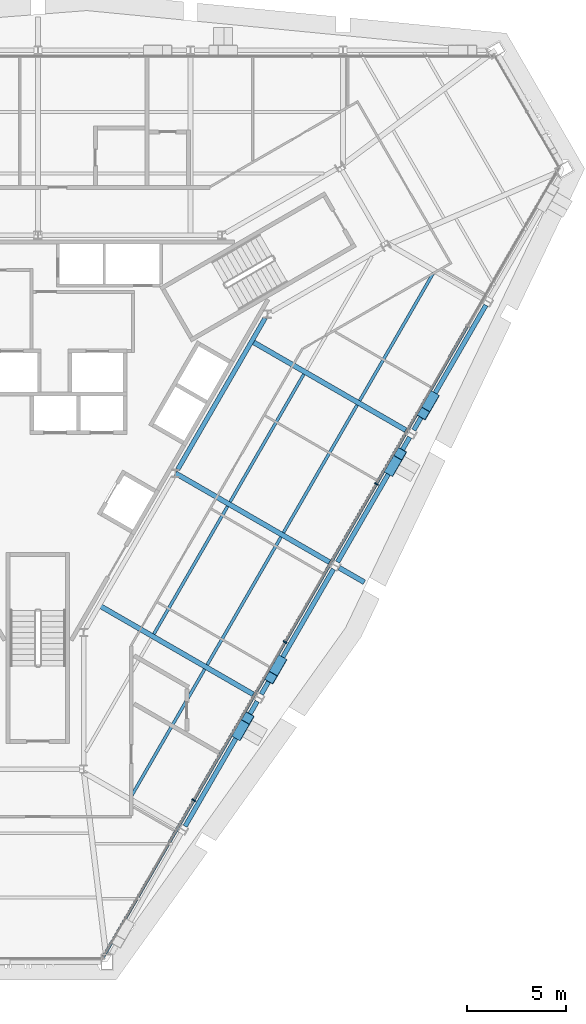
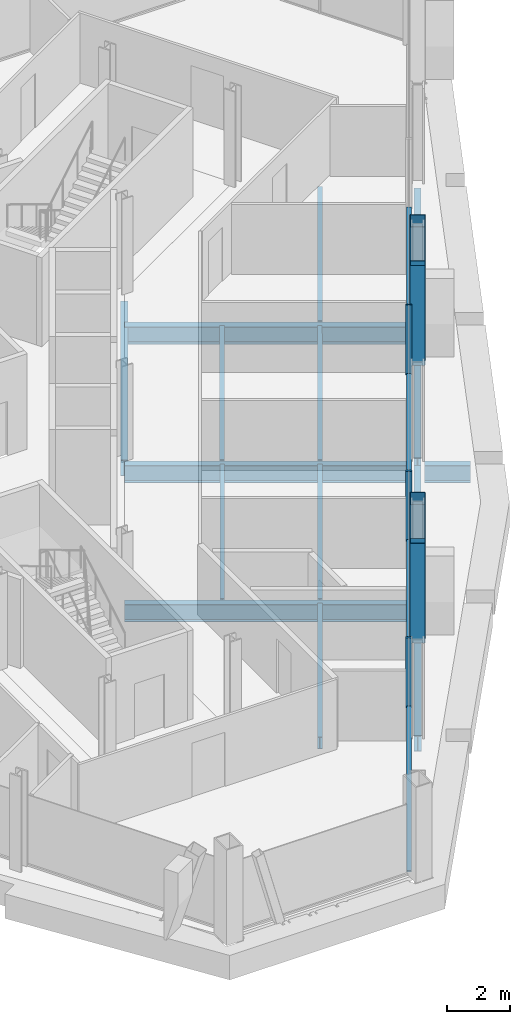
# One storey, part 4 of 13: 15 beams, 11 members, 1 element without a shape of its own.
"""IFC4 building model written with IfcOpenShell, lengths in metres."""

import ifcopenshell
import ifcopenshell.guid

model = None  # the IFC model being written
_history = None  # IfcOwnerHistory: only IFC2X3 demands one
_inside = {}  # id of a spatial element -> (the spatial element, [elements in it])
_under = {}  # id of a project, library or spatial element -> (it, [spatial elements below it])
_declared = {}  # id of a project -> (the project, [libraries it declares])
_typed = {}  # id of a type object -> (the type object, [elements of that type])
_made_of = {}  # id of a material, layer set ... -> (it, [elements and type objects made of it])


def new_model(schema):
    """Start an empty IFC model of exactly this schema.

    Asked for "IFC4X3", IfcOpenShell would pick the latest addendum, in which some entities
    have other attributes; the version numbers below select the first issue.
    IFC2X3 requires an IfcOwnerHistory on every rooted entity: one is made here for all.
    """
    global model, _history
    if schema == "IFC4X3":
        model = ifcopenshell.file(schema_version=(4, 3, 0, 0))
    else:
        model = ifcopenshell.file(schema=schema)
    _inside.clear()
    _under.clear()
    _declared.clear()
    _typed.clear()
    _made_of.clear()
    _history = None
    if model.schema == "IFC2X3":
        org = make("IfcOrganization", Name="unknown")
        user = make(
            "IfcPersonAndOrganization",
            ThePerson=make("IfcPerson", FamilyName="unknown"),
            TheOrganization=org,
        )
        app = make(
            "IfcApplication",
            ApplicationDeveloper=org,
            Version="unknown",
            ApplicationFullName="unknown",
            ApplicationIdentifier="unknown",
        )
        _history = make(
            "IfcOwnerHistory",
            OwningUser=user,
            OwningApplication=app,
            ChangeAction="ADDED",
            CreationDate=0,
        )
    return model


def make(cls, **values):
    """One entity of the class cls with the attributes given. An attribute that is None is left unset."""
    return model.create_entity(
        cls, **{name: value for name, value in values.items() if value is not None}
    )


def rooted(cls, **values):
    """An entity with a GlobalId (a new one), such as an element, a storey or a relation."""
    return make(cls, GlobalId=ifcopenshell.guid.new(), OwnerHistory=_history, **values)


def si_unit(unit_type, name, prefix=None):
    """IfcSIUnit, for example si_unit("LENGTHUNIT", "METRE", prefix="MILLI")."""
    return make("IfcSIUnit", UnitType=unit_type, Prefix=prefix, Name=name)


def assignment(units):
    """IfcUnitAssignment: the units of a project."""
    return None if units is None else make("IfcUnitAssignment", Units=units)


def point(xyz):
    """IfcCartesianPoint."""
    return None if xyz is None else make("IfcCartesianPoint", Coordinates=xyz)


def direction(xyz):
    """IfcDirection."""
    return None if xyz is None else make("IfcDirection", DirectionRatios=xyz)


def frame(location, z_axis=None, x_axis=None):
    """IfcAxis2Placement3D, a coordinate frame: its origin and axes. An axis left out is left unset."""
    return make(
        "IfcAxis2Placement3D",
        Location=point(location),
        Axis=direction(z_axis),
        RefDirection=direction(x_axis),
    )


def frame_2d(location, x_axis=None):
    """IfcAxis2Placement2D, a coordinate frame in the plane: its origin and x axis."""
    return make(
        "IfcAxis2Placement2D", Location=point(location), RefDirection=direction(x_axis)
    )


def origin():
    """The frame at (0, 0, 0) with its axes left unset."""
    return frame((0.0, 0.0, 0.0))


def origin_2d():
    """The frame at (0, 0) in the plane with its x axis left unset."""
    return frame_2d((0.0, 0.0))


def place(relative_to, where):
    """IfcLocalPlacement: puts the frame where relative to a parent placement (None: the world)."""
    return make(
        "IfcLocalPlacement", PlacementRelTo=relative_to, RelativePlacement=where
    )


def context(
    kind, dimensions, precision=None, world=None, true_north=None, identifier=None
):
    """IfcGeometricRepresentationContext, for example the 3D "Model" context."""
    return make(
        "IfcGeometricRepresentationContext",
        ContextIdentifier=identifier,
        ContextType=kind,
        CoordinateSpaceDimension=dimensions,
        Precision=precision,
        WorldCoordinateSystem=world,
        TrueNorth=true_north,
    )


def subcontext(parent, identifier, kind, view, scale=None):
    """IfcGeometricRepresentationSubContext, for example "Body" below "Model"."""
    return make(
        "IfcGeometricRepresentationSubContext",
        ContextIdentifier=identifier,
        ContextType=kind,
        ParentContext=parent,
        TargetScale=scale,
        TargetView=view,
    )


def project(units=None, contexts=None):
    """IfcProject with its units and contexts."""
    return rooted(
        "IfcProject",
        Name="project",
        RepresentationContexts=contexts,
        UnitsInContext=assignment(units),
    )


def spatial(cls, under=None, at=None, **own):
    """A site, building, storey or space (cls), placed at a placement, below another one or the project."""
    s = rooted(cls, ObjectPlacement=at, **own)
    if under is not None:
        _under.setdefault(under.id(), (under, []))[1].append(s)
    return s


def profile(cls, at=None, kind="AREA", **sizes):
    """A parametric profile (cls). Its sizes go by their IFC names, for example OverallWidth=200.0."""
    return make(cls, ProfileType=kind, Position=at, **sizes)


def rectangle(**sizes):
    """IfcRectangleProfileDef."""
    return profile("IfcRectangleProfileDef", **sizes)


def hollow_rectangle(**sizes):
    """IfcRectangleHollowProfileDef."""
    return profile("IfcRectangleHollowProfileDef", **sizes)


def i_section(**sizes):
    """IfcIShapeProfileDef."""
    return profile("IfcIShapeProfileDef", **sizes)


def extrude(swept, where, along, depth):
    """IfcExtrudedAreaSolid: the profile swept, set in the frame where, extruded along a direction by depth."""
    return make(
        "IfcExtrudedAreaSolid",
        SweptArea=swept,
        Position=where,
        ExtrudedDirection=direction(along),
        Depth=depth,
    )


def shape(context_of_items, identifier, shape_type, items):
    """IfcShapeRepresentation: the items that make up one representation, for example the "Body"."""
    return make(
        "IfcShapeRepresentation",
        ContextOfItems=context_of_items,
        RepresentationIdentifier=identifier,
        RepresentationType=shape_type,
        Items=items,
    )


def material(Name=None, Category=None):
    """IfcMaterial."""
    return make("IfcMaterial", Name=Name, Category=Category)


def material_profile(
    of_material, cross_section, Name=None, Category=None, Priority=None
):
    """IfcMaterialProfile: a cross section and its material."""
    return make(
        "IfcMaterialProfile",
        Name=Name,
        Material=of_material,
        Profile=cross_section,
        Priority=Priority,
        Category=Category,
    )


def profile_set(profiles, Name=None, composite=None):
    """IfcMaterialProfileSet."""
    return make(
        "IfcMaterialProfileSet",
        Name=Name,
        MaterialProfiles=profiles,
        CompositeProfile=composite,
    )


def made_of(thing, what):
    """Note that an element or type object is made of a material, layer set ...; save() writes the relation."""
    if what is not None:
        _made_of.setdefault(what.id(), (what, []))[1].append(thing)
    return thing


def type_object(cls, material=None, **own):
    """A type object (cls), such as IfcWallType, which elements share."""
    return made_of(rooted(cls, **own), material)


def element(
    cls,
    number,
    at=None,
    inside=None,
    cuts=None,
    type_object=None,
    material=None,
    context=None,
    identifier="Body",
    shape_type=None,
    held_by="IfcProductDefinitionShape",
    body=None,
    shapes=None,
    **own,
):
    """One element of the class cls, such as IfcWall. Its Tag is "e" and its number.

    at: its placement. inside: the storey or other place that contains it. cuts: it is an
    opening in that element (IfcRelVoidsElement). A single representation is given by context,
    identifier, shape_type and body (its items); several are given by shapes. held_by: the class
    of the entity that holds the representations. save() writes the other relations.
    """
    e = rooted(cls, Tag="e%d" % number, ObjectPlacement=at, **own)
    if body is not None:
        shapes = [shape(context, identifier, shape_type, body)]
    if shapes is not None:
        e.Representation = make(held_by, Representations=shapes)
    if inside is not None:
        _inside.setdefault(inside.id(), (inside, []))[1].append(e)
    if cuts is not None:
        rooted(
            "IfcRelVoidsElement", RelatingBuildingElement=cuts, RelatedOpeningElement=e
        )
    if type_object is not None:
        _typed.setdefault(type_object.id(), (type_object, []))[1].append(e)
    return made_of(e, material)


def aggregate(whole, parts):
    """IfcRelAggregates: a whole, such as a stair, and the parts it consists of."""
    return rooted("IfcRelAggregates", RelatingObject=whole, RelatedObjects=parts)


def save(model, path):
    """Write the relations noted so far, then the file.

    IfcRelAggregates (storeys below a building ...), IfcRelContainedInSpatialStructure (elements
    in a storey), IfcRelDefinesByType, IfcRelAssociatesMaterial and IfcRelDeclares: one each for
    every whole, place, type object, material and project.
    """
    for whole, parts in _under.values():
        aggregate(whole, parts)
    for where, things in _inside.values():
        rooted(
            "IfcRelContainedInSpatialStructure",
            RelatedElements=things,
            RelatingStructure=where,
        )
    for kind, things in _typed.values():
        rooted("IfcRelDefinesByType", RelatedObjects=things, RelatingType=kind)
    for what, things in _made_of.values():
        rooted("IfcRelAssociatesMaterial", RelatedObjects=things, RelatingMaterial=what)
    for by, libraries in _declared.values():
        rooted("IfcRelDeclares", RelatingContext=by, RelatedDefinitions=libraries)
    model.write(path)


model = new_model("IFC4")

# Units and contexts
model_context = context("Model", 3, precision=1e-05, world=origin(), true_north=direction((0.0, 1.0)))
body_context = subcontext(model_context, "Body", "Model", "MODEL_VIEW")
ifc_project = project(units=[si_unit("LENGTHUNIT", "METRE"), si_unit("AREAUNIT", "SQUARE_METRE"), si_unit("VOLUMEUNIT", "CUBIC_METRE"), si_unit("PLANEANGLEUNIT", "RADIAN"), si_unit("MASSUNIT", "GRAM", prefix="KILO")], contexts=[model_context])

# Site, building, storey
site_placement = place(None, origin())
site = spatial("IfcSite", under=ifc_project, at=site_placement, CompositionType="ELEMENT")
building_placement = place(site_placement, origin())
building = spatial("IfcBuilding", under=site, at=building_placement, Name="Verrane Prism Tower", CompositionType="ELEMENT")
storey_placement = place(building_placement, frame((0.0, 0.0, 167.300048828125)))
storey = spatial("IfcBuildingStorey", under=building, at=storey_placement, Name="L41", CompositionType="ELEMENT", Elevation=167.300048828125)

# Beam
ifc_material_1 = material(Name="Steel A992", Category="steel")
ifc_material_profile_1 = material_profile(ifc_material_1, i_section(OverallWidth=0.23046875, OverallDepth=0.6171875, WebThickness=0.01318359375, FlangeThickness=0.022216796875, FilletRadius=0.012939453125, at=origin_2d()), Name="W24x94")
ifc_profile_set_1 = profile_set([ifc_material_profile_1], Name="Steel A992")
beam_type_1 = type_object("IfcBeamType", Name="Core ring girder W24x94", PredefinedType="BEAM", material=ifc_profile_set_1)
beam_1_placement = place(storey_placement, frame((7.045166015625, -3.800537109375, -0.55859375), z_axis=(0.499967414725, 0.866044216084, 0.0), x_axis=(-0.866044216084, 0.499967414725, 0.0)))
element("IfcBeam", 1, at=beam_1_placement, inside=storey, type_object=beam_type_1, Name="Core ring girder L41", PredefinedType="BEAM", context=body_context, shape_type="SweptSolid", body=[
    extrude(i_section(OverallWidth=0.23046875, OverallDepth=0.6171875, WebThickness=0.01318359375, FlangeThickness=0.022216796875, FilletRadius=0.012939453125, at=origin_2d()), origin(), (0.0, 0.0, 1.0), 8.7998046875),
])

# Members
ifc_material_2 = material(Name="Steel A500 Grade C", Category="steel")
ifc_material_profile_2 = material_profile(ifc_material_2, hollow_rectangle(XDim=0.508056640625, YDim=0.508056640625, WallThickness=0.01904296875, InnerFilletRadius=0.009521484375, OuterFilletRadius=0.028564453125, at=origin_2d()), Name="HSS20x20x3/4")
ifc_profile_set_2 = profile_set([ifc_material_profile_2], Name="Steel A500 Grade C")
member_type_1 = type_object("IfcMemberType", Name="Facade brace HSS20x20x3/4", PredefinedType="BRACE", material=ifc_profile_set_2)
member_1_placement = place(storey_placement, frame((10.090087890625, -17.145263671875, -0.216796875), z_axis=(0.142215487938, 0.246130924285, 0.958746224556), x_axis=(-0.865855153672, 0.500294765972, 0.0)))
element("IfcMember", 2, at=member_1_placement, inside=storey, type_object=member_type_1, Name="Facade brace SE1 L41", PredefinedType="BRACE", context=body_context, shape_type="SweptSolid", body=[
    extrude(hollow_rectangle(XDim=0.508056640625, YDim=0.508056640625, WallThickness=0.01904296875, InnerFilletRadius=0.009521484375, OuterFilletRadius=0.028564453125, at=origin_2d()), origin(), (0.0, 0.0, 1.0), 3.333740234375),
])
member_2_placement = place(storey_placement, frame((12.209716796875, -13.471923828125, -0.216796875), z_axis=(-0.142130918057, -0.246477418948, 0.95866974714), x_axis=(0.866288399192, -0.499544201673, 0.0)))
element("IfcMember", 3, at=member_2_placement, inside=storey, type_object=member_type_1, Name="Facade brace SE2 L41", PredefinedType="BRACE", context=body_context, shape_type="SweptSolid", body=[
    extrude(hollow_rectangle(XDim=0.508056640625, YDim=0.508056640625, WallThickness=0.01904296875, InnerFilletRadius=0.009521484375, OuterFilletRadius=0.028564453125, at=origin_2d()), origin(), (0.0, 0.0, 1.0), 3.333984375),
])
for number, where, z_axis, x_axis, name in (
    (4, (17.770263671875, -3.835205078125, -0.216796875), (0.142143736486, 0.246133487031, 0.958756207145), (-0.865966742331, 0.500101590855, 0.0), "Facade brace SE3 L41"),
    (5, (19.889892578125, -0.164794921875, -0.216796875), (-0.142143736486, -0.246133487031, 0.958756207145), (0.865966742331, -0.500101590855, 0.0), "Facade brace SE4 L41"),
):
    element("IfcMember", number, at=place(storey_placement, frame(where, z_axis=z_axis, x_axis=x_axis)), inside=storey, type_object=member_type_1, Name=name, PredefinedType="BRACE", context=body_context, shape_type="SweptSolid", body=[
        extrude(hollow_rectangle(XDim=0.508056640625, YDim=0.508056640625, WallThickness=0.01904296875, InnerFilletRadius=0.009521484375, OuterFilletRadius=0.028564453125, at=origin_2d()), origin(), (0.0, 0.0, 1.0), 3.333740234375),
    ])

# Beams
ifc_material_3 = material(Name="Steel A992", Category="steel")
ifc_material_profile_3 = material_profile(ifc_material_3, i_section(OverallWidth=0.15234375, OverallDepth=0.449462890625, WebThickness=0.007568359375, FlangeThickness=0.0107421875, FilletRadius=0.01025390625, at=origin_2d()), Name="W18x35")
ifc_profile_set_3 = profile_set([ifc_material_profile_3], Name="Steel A992")
beam_type_2 = type_object("IfcBeamType", Name="Floor beam W18x35", PredefinedType="BEAM", material=ifc_profile_set_3)
beam_2_placement = place(storey_placement, frame((4.686279296875, -20.299072265625, -0.384765625), z_axis=(0.500022277658, 0.866012541391, 0.0), x_axis=(-0.866012541391, 0.500022277658, 0.0)))
element("IfcBeam", 6, at=beam_2_placement, inside=storey, type_object=beam_type_2, Name="Floor beam L41", PredefinedType="BEAM", context=body_context, shape_type="SweptSolid", body=[
    extrude(i_section(OverallWidth=0.15234375, OverallDepth=0.449462890625, WebThickness=0.007568359375, FlangeThickness=0.0107421875, FilletRadius=0.01025390625, at=origin_2d()), origin(), (0.0, 0.0, 1.0), 7.424560546875),
])
beam_3_placement = place(storey_placement, frame((8.525390625, -13.6494140625, -0.384765625), z_axis=(0.500006734102, 0.866021515814, 0.0), x_axis=(-0.866021515814, 0.500006734102, 0.0)))
element("IfcBeam", 7, at=beam_3_placement, inside=storey, type_object=beam_type_2, Name="Floor beam L41", PredefinedType="BEAM", context=body_context, shape_type="SweptSolid", body=[
    extrude(i_section(OverallWidth=0.15234375, OverallDepth=0.449462890625, WebThickness=0.007568359375, FlangeThickness=0.0107421875, FilletRadius=0.01025390625, at=origin_2d()), origin(), (0.0, 0.0, 1.0), 7.43408203125),
])
beam_4_placement = place(storey_placement, frame((5.837646484375, -12.098388671875, -0.384765625), z_axis=(0.499996323716, 0.866027526278, 0.0), x_axis=(-0.866027526278, 0.499996323716, 0.0)))
element("IfcBeam", 8, at=beam_4_placement, inside=storey, type_object=beam_type_2, Name="Floor beam L41", PredefinedType="BEAM", context=body_context, shape_type="SweptSolid", body=[
    extrude(i_section(OverallWidth=0.15234375, OverallDepth=0.449462890625, WebThickness=0.007568359375, FlangeThickness=0.0107421875, FilletRadius=0.01025390625, at=origin_2d()), origin(), (0.0, 0.0, 1.0), 7.43359375),
])
for number, where, z_axis, x_axis, name in (
    (9, (12.3671875, -6.990234375, -0.384765625), (0.499979562871, 0.866037202845, 0.0), (-0.866037202845, 0.499979562871, 0.0), "Floor beam L41"),
    (10, (9.680419921875, -5.440185546875, -0.384765625), (0.499979562871, 0.866037202845, 0.0), (-0.866037202845, 0.499979562871, 0.0), "Floor beam L41"),
):
    element("IfcBeam", number, at=place(storey_placement, frame(where, z_axis=z_axis, x_axis=x_axis)), inside=storey, type_object=beam_type_2, Name=name, PredefinedType="BEAM", context=body_context, shape_type="SweptSolid", body=[
        extrude(i_section(OverallWidth=0.15234375, OverallDepth=0.449462890625, WebThickness=0.007568359375, FlangeThickness=0.0107421875, FilletRadius=0.01025390625, at=origin_2d()), origin(), (0.0, 0.0, 1.0), 7.425048828125),
    ])
beam_5_placement = place(storey_placement, frame((16.206787109375, -0.340087890625, -0.384765625), z_axis=(0.50000040832, 0.866025168041, 0.0), x_axis=(-0.866025168041, 0.50000040832, 0.0)))
element("IfcBeam", 11, at=beam_5_placement, inside=storey, type_object=beam_type_2, Name="Floor beam L41", PredefinedType="BEAM", context=body_context, shape_type="SweptSolid", body=[
    extrude(i_section(OverallWidth=0.15234375, OverallDepth=0.449462890625, WebThickness=0.007568359375, FlangeThickness=0.0107421875, FilletRadius=0.01025390625, at=origin_2d()), origin(), (0.0, 0.0, 1.0), 7.42578125),
])

# Curtain wall, members
ifc_material_4 = material(Name="Aluminium framed insulated glazing", Category="aluminium")
curtain_wall_type = type_object("IfcCurtainWallType", Name="Curtain wall CW-A 8400 module", PredefinedType="NOTDEFINED", material=ifc_material_4)
curtain_wall_placement = place(storey_placement, origin())
curtain_wall = element("IfcCurtainWall", 12, at=curtain_wall_placement, inside=storey, type_object=curtain_wall_type, Name="Glazed curtain wall south-east face L41", PredefinedType="NOTDEFINED")
ifc_material_5 = material(Name="Aluminium alloy 6063-T6", Category="aluminium")
ifc_material_profile_4 = material_profile(ifc_material_5, rectangle(XDim=0.199951171875, YDim=0.070068359375, at=origin_2d()), Name="Mullion 70x200 aluminium")
ifc_profile_set_4 = profile_set([ifc_material_profile_4], Name="Aluminium alloy 6063-T6")
member_type_2 = type_object("IfcMemberType", Name="Mullion 70x200 aluminium", PredefinedType="MULLION", material=ifc_profile_set_4)
member_3_placement = place(storey_placement, frame((7.84814453125, -20.46875, 0.0), z_axis=(0.0, 0.0, 1.0), x_axis=(-0.86602596468, 0.499999028499, 0.0)))
member_3 = element("IfcMember", 13, at=member_3_placement, type_object=member_type_2, Name="CW39.6 mullion 2", PredefinedType="MULLION", context=body_context, shape_type="SweptSolid", body=[
    extrude(rectangle(XDim=0.199951171875, YDim=0.070068359375, at=origin_2d()), origin(), (0.0, 0.0, 1.0), 2.712890625),
])
member_4_placement = place(storey_placement, frame((12.448974609375, -12.5, 0.0), z_axis=(0.0, 0.0, 1.0), x_axis=(-0.86602596468, 0.499999028499, 0.0)))
member_4 = element("IfcMember", 14, at=member_4_placement, type_object=member_type_2, Name="CW39.6 mullion 3", PredefinedType="MULLION", context=body_context, shape_type="SweptSolid", body=[
    extrude(rectangle(XDim=0.199951171875, YDim=0.070068359375, at=origin_2d()), origin(), (0.0, 0.0, 1.0), 2.712890625),
])
member_5_placement = place(storey_placement, frame((17.0498046875, -4.531005859375, 0.0), z_axis=(0.0, 0.0, 1.0), x_axis=(-0.86602596468, 0.499999028499, 0.0)))
member_5 = element("IfcMember", 15, at=member_5_placement, type_object=member_type_2, Name="CW39.6 mullion 4", PredefinedType="MULLION", context=body_context, shape_type="SweptSolid", body=[
    extrude(rectangle(XDim=0.199951171875, YDim=0.070068359375, at=origin_2d()), origin(), (0.0, 0.0, 1.0), 2.712890625),
])

# Beams
ifc_material_6 = material(Name="Steel A992", Category="steel")
ifc_material_profile_5 = material_profile(ifc_material_6, i_section(OverallWidth=0.25390625, OverallDepth=0.683349609375, WebThickness=0.012451171875, FlangeThickness=0.01904296875, FilletRadius=0.01513671875, at=origin_2d()), Name="W27x94")
ifc_profile_set_5 = profile_set([ifc_material_profile_5], Name="Steel A992")
beam_type_3 = type_object("IfcBeamType", Name="Radial girder W27x94", PredefinedType="BEAM", material=ifc_profile_set_5)
beam_6_placement = place(storey_placement, frame((10.9619140625, -15.201416015625, -0.561767578125), z_axis=(-0.866021925876, 0.500006023866, 0.0), x_axis=(-0.500006023866, -0.866021925876, 0.0)))
element("IfcBeam", 16, at=beam_6_placement, inside=storey, type_object=beam_type_3, Name="Radial girder L41", PredefinedType="BEAM", context=body_context, shape_type="SweptSolid", body=[
    extrude(i_section(OverallWidth=0.25390625, OverallDepth=0.683349609375, WebThickness=0.012451171875, FlangeThickness=0.01904296875, FilletRadius=0.01513671875, at=origin_2d()), origin(), (0.0, 0.0, 1.0), 9.09228515625),
])
beam_7_placement = place(storey_placement, frame((14.802001953125, -8.54150390625, -0.561767578125), z_axis=(-0.866020960005, 0.500007696773, 0.0), x_axis=(-0.500007696773, -0.866020960005, 0.0)))
element("IfcBeam", 17, at=beam_7_placement, inside=storey, type_object=beam_type_3, Name="Radial girder L41", PredefinedType="BEAM", context=body_context, shape_type="SweptSolid", body=[
    extrude(i_section(OverallWidth=0.25390625, OverallDepth=0.683349609375, WebThickness=0.012451171875, FlangeThickness=0.01904296875, FilletRadius=0.01513671875, at=origin_2d()), origin(), (0.0, 0.0, 1.0), 9.088134765625),
])
beam_8_placement = place(storey_placement, frame((18.641845703125, -1.891357421875, -0.561767578125), z_axis=(-0.866022759689, 0.500004579679, 0.0), x_axis=(-0.500004579679, -0.866022759689, 0.0)))
element("IfcBeam", 18, at=beam_8_placement, inside=storey, type_object=beam_type_3, Name="Radial girder L41", PredefinedType="BEAM", context=body_context, shape_type="SweptSolid", body=[
    extrude(i_section(OverallWidth=0.25390625, OverallDepth=0.683349609375, WebThickness=0.012451171875, FlangeThickness=0.01904296875, FilletRadius=0.01513671875, at=origin_2d()), origin(), (0.0, 0.0, 1.0), 9.0888671875),
])
beam_9_placement = place(storey_placement, frame((15.174560546875, -8.756591796875, -0.561767578125), z_axis=(0.866035418383, -0.499982653806, 0.0), x_axis=(0.499982653806, 0.866035418383, 0.0)))
element("IfcBeam", 19, at=beam_9_placement, inside=storey, type_object=beam_type_3, Name="Cantilever girder L41", PredefinedType="BEAM", context=body_context, shape_type="SweptSolid", body=[
    extrude(i_section(OverallWidth=0.25390625, OverallDepth=0.683349609375, WebThickness=0.012451171875, FlangeThickness=0.01904296875, FilletRadius=0.01513671875, at=origin_2d()), origin(), (0.0, 0.0, 1.0), 1.4619140625),
])
ifc_material_7 = material(Name="Steel A992", Category="steel")
ifc_material_profile_6 = material_profile(ifc_material_7, i_section(OverallWidth=0.23046875, OverallDepth=0.6171875, WebThickness=0.01318359375, FlangeThickness=0.022216796875, FilletRadius=0.012939453125, at=origin_2d()), Name="W24x94")
ifc_profile_set_6 = profile_set([ifc_material_profile_6], Name="Steel A992")
beam_type_4 = type_object("IfcBeamType", Name="Spandrel beam W24x94", PredefinedType="SPANDREL", material=ifc_profile_set_6)
beam_10_placement = place(storey_placement, frame((7.412841796875, -21.78173828125, -0.46875), z_axis=(0.50007721572, 0.865980818678, 0.0), x_axis=(-0.865980818678, 0.50007721572, 0.0)))
element("IfcBeam", 20, at=beam_10_placement, inside=storey, type_object=beam_type_4, Name="Spandrel beam L41", PredefinedType="SPANDREL", context=body_context, shape_type="SweptSolid", body=[
    extrude(i_section(OverallWidth=0.23046875, OverallDepth=0.6171875, WebThickness=0.01318359375, FlangeThickness=0.022216796875, FilletRadius=0.012939453125, at=origin_2d()), origin(), (0.0, 0.0, 1.0), 7.267333984375),
])
beam_11_placement = place(storey_placement, frame((11.252685546875, -15.1318359375, -0.46875), z_axis=(0.499492001644, 0.866318498183, 0.0), x_axis=(-0.866318498183, 0.499492001644, 0.0)))
element("IfcBeam", 21, at=beam_11_placement, inside=storey, type_object=beam_type_4, Name="Spandrel beam L41", PredefinedType="SPANDREL", context=body_context, shape_type="SweptSolid", body=[
    extrude(i_section(OverallWidth=0.23046875, OverallDepth=0.6171875, WebThickness=0.01318359375, FlangeThickness=0.022216796875, FilletRadius=0.012939453125, at=origin_2d()), origin(), (0.0, 0.0, 1.0), 7.2763671875),
])
for number, where, z_axis, x_axis, name in (
    (22, (15.093017578125, -8.4716796875, -0.46875), (0.500052022334, 0.865995366592, 0.0), (-0.865995366592, 0.500052022334, 0.0), "Spandrel beam L41"),
    (23, (18.932861328125, -1.82177734375, -0.46875), (0.50007721572, 0.865980818678, 0.0), (-0.865980818678, 0.50007721572, 0.0), "Spandrel beam L41"),
):
    element("IfcBeam", number, at=place(storey_placement, frame(where, z_axis=z_axis, x_axis=x_axis)), inside=storey, type_object=beam_type_4, Name=name, PredefinedType="SPANDREL", context=body_context, shape_type="SweptSolid", body=[
        extrude(i_section(OverallWidth=0.23046875, OverallDepth=0.6171875, WebThickness=0.01318359375, FlangeThickness=0.022216796875, FilletRadius=0.012939453125, at=origin_2d()), origin(), (0.0, 0.0, 1.0), 7.267333984375),
    ])

# Member
ifc_material_8 = material(Name="Aluminium alloy 6063-T6", Category="aluminium")
ifc_material_profile_7 = material_profile(ifc_material_8, rectangle(XDim=0.14990234375, YDim=0.070068359375, at=origin_2d()), Name="Transom 70x150 aluminium")
ifc_profile_set_7 = profile_set([ifc_material_profile_7], Name="Aluminium alloy 6063-T6")
member_type_3 = type_object("IfcMemberType", Name="Transom 70x150 aluminium", PredefinedType="USERDEFINED", material=ifc_profile_set_7)
member_6_placement = place(storey_placement, frame((3.2822265625, -28.376953125, 0.034912109375), z_axis=(0.500001238203, 0.866024688907, 0.0), x_axis=(-0.866024688907, 0.500001238203, 0.0)))
member_6 = element("IfcMember", 24, at=member_6_placement, type_object=member_type_3, Name="CW39.6 transom 1", ObjectType="TRANSOM", PredefinedType="USERDEFINED", context=body_context, shape_type="SweptSolid", body=[
    extrude(rectangle(XDim=0.14990234375, YDim=0.070068359375, at=origin_2d()), origin(), (0.0, 0.0, 1.0), 9.0966796875),
])

member_7_placement = place(storey_placement, frame((7.865478515625, -20.4384765625, 0.034912109375), z_axis=(0.500009425886, 0.866019961678, 0.0), x_axis=(-0.866019961678, 0.500009425886, 0.0)))
member_7 = element("IfcMember", 25, at=member_7_placement, type_object=member_type_3, Name="CW39.6 transom 2", ObjectType="TRANSOM", PredefinedType="USERDEFINED", context=body_context, shape_type="SweptSolid", body=[
    extrude(rectangle(XDim=0.14990234375, YDim=0.070068359375, at=origin_2d()), origin(), (0.0, 0.0, 1.0), 9.131591796875),
])

member_8_placement = place(storey_placement, frame((12.46630859375, -12.4697265625, 0.034912109375), z_axis=(0.499997849104, 0.866026645601, 0.0), x_axis=(-0.866026645601, 0.499997849104, 0.0)))
member_8 = element("IfcMember", 26, at=member_8_placement, type_object=member_type_3, Name="CW39.6 transom 3", ObjectType="TRANSOM", PredefinedType="USERDEFINED", context=body_context, shape_type="SweptSolid", body=[
    extrude(rectangle(XDim=0.14990234375, YDim=0.070068359375, at=origin_2d()), origin(), (0.0, 0.0, 1.0), 9.1318359375),
])

member_9_placement = place(storey_placement, frame((17.067138671875, -4.500732421875, 0.034912109375), z_axis=(0.500009425886, 0.866019961678, 0.0), x_axis=(-0.866019961678, 0.500009425886, 0.0)))
member_9 = element("IfcMember", 27, at=member_9_placement, type_object=member_type_3, Name="CW39.6 transom 4", ObjectType="TRANSOM", PredefinedType="USERDEFINED", context=body_context, shape_type="SweptSolid", body=[
    extrude(rectangle(XDim=0.14990234375, YDim=0.070068359375, at=origin_2d()), origin(), (0.0, 0.0, 1.0), 9.131591796875),
])

aggregate(curtain_wall, [member_3, member_4, member_5, member_6, member_7, member_8, member_9])

save(model, "model.ifc")
